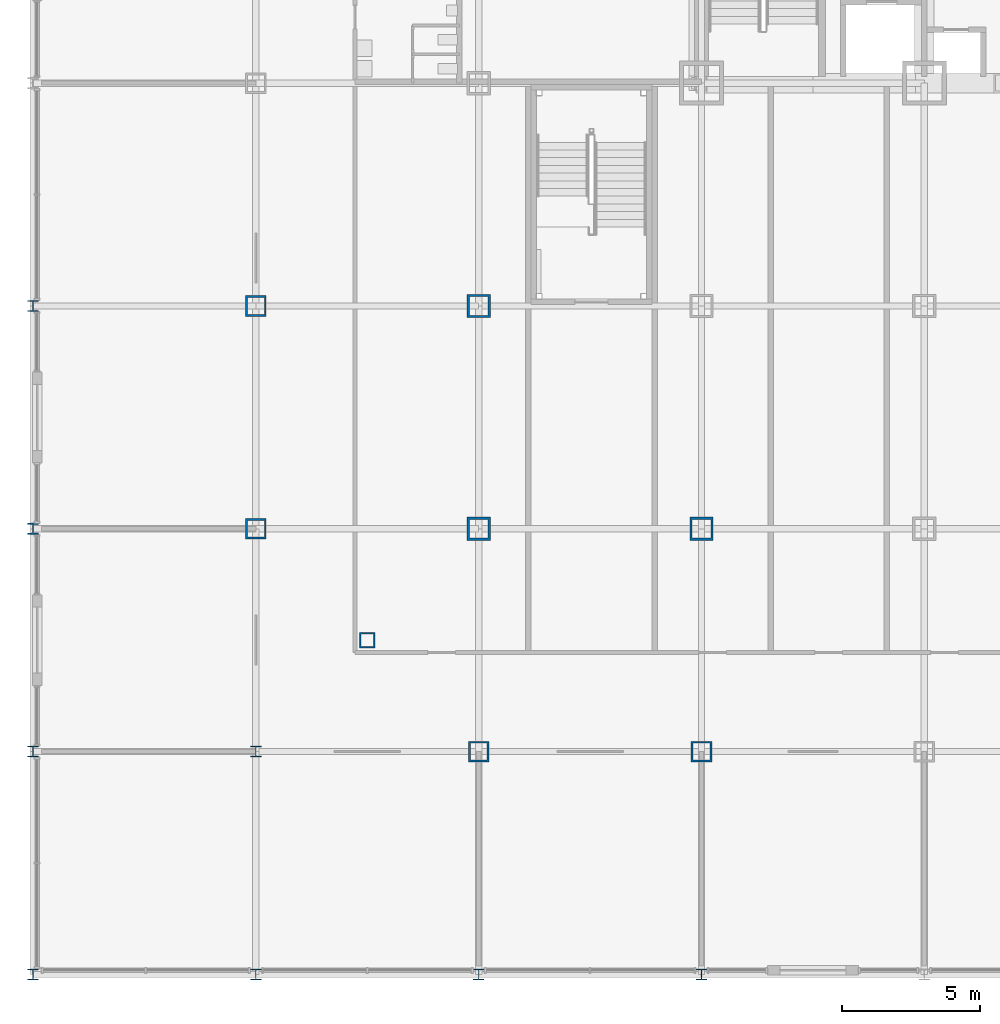
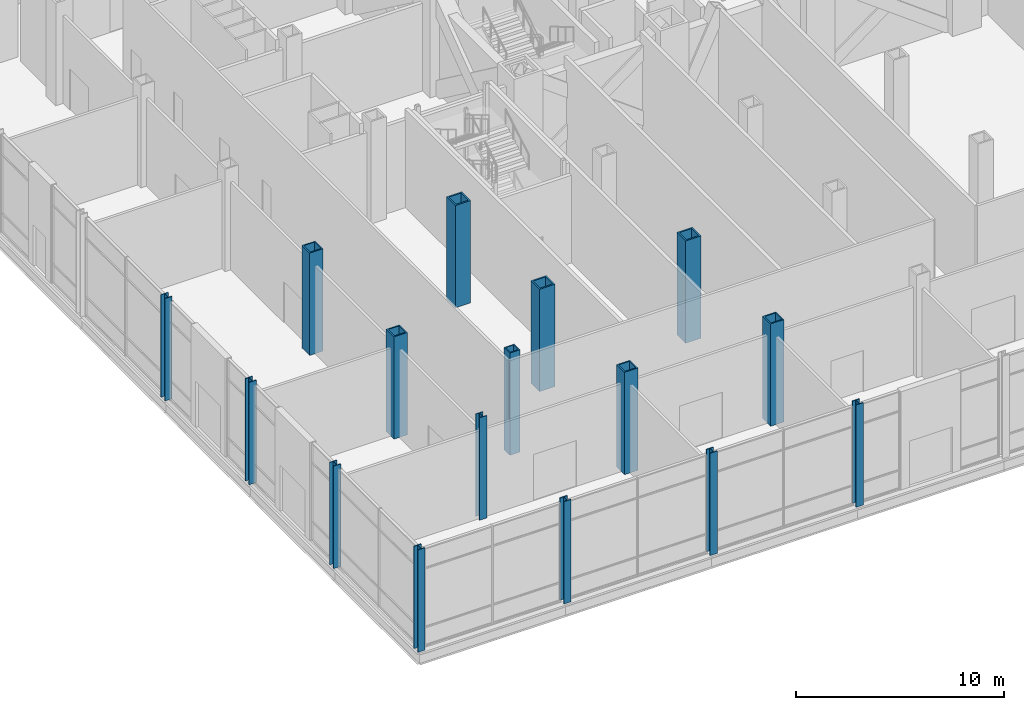
# One storey, part 1 of 35: 16 columns.
"""IFC4 building model written with IfcOpenShell, lengths in metres."""

from ifc_helpers import new_model, si_unit, direction, frame, origin, origin_2d, place, context, subcontext, project, spatial, hollow_rectangle, i_section, extrude, material, material_profile, profile_set, type_object, element, save


model = new_model("IFC4")

# Units and contexts
model_context = context("Model", 3, precision=1e-05, world=origin(), true_north=direction((0.0, 1.0)))
body_context = subcontext(model_context, "Body", "Model", "MODEL_VIEW")
ifc_project = project(units=[si_unit("LENGTHUNIT", "METRE"), si_unit("AREAUNIT", "SQUARE_METRE"), si_unit("VOLUMEUNIT", "CUBIC_METRE"), si_unit("PLANEANGLEUNIT", "RADIAN"), si_unit("MASSUNIT", "GRAM", prefix="KILO")], contexts=[model_context])

# Site, building, storey
site_placement = place(None, origin())
site = spatial("IfcSite", under=ifc_project, at=site_placement, CompositionType="ELEMENT")
building_placement = place(site_placement, origin())
building = spatial("IfcBuilding", under=site, at=building_placement, Name="Kopane Lantern Tower", CompositionType="ELEMENT")
storey_placement = place(building_placement, origin())
storey = spatial("IfcBuildingStorey", under=building, at=storey_placement, Name="L00", CompositionType="ELEMENT", Elevation=0.0)

# Columns
ifc_material_1 = material(Name="Steel S355JR", Category="steel")
ifc_material_profile_1 = material_profile(ifc_material_1, hollow_rectangle(XDim=0.550048828125, YDim=0.550048828125, WallThickness=0.050048828125, at=origin_2d()), Name="BOX 550x550x50")
ifc_profile_set_1 = profile_set([ifc_material_profile_1], Name="Steel S355JR")
column_type_1 = type_object("IfcColumnType", Name="COLUMN BOX 550x550x50", PredefinedType="COLUMN", material=ifc_profile_set_1)
column_placement = place(storey_placement, frame((4.050048828125, 4.050048828125, 0.0), z_axis=(0.0, 0.0, 1.0), x_axis=(1.0, 0.0, 0.0)))
element("IfcColumn", 1, at=column_placement, inside=storey, type_object=column_type_1, Name="Column 4.05/4.05 L00", PredefinedType="COLUMN", context=body_context, shape_type="SweptSolid", body=[
    extrude(hollow_rectangle(XDim=0.550048828125, YDim=0.550048828125, WallThickness=0.050048828125, at=origin_2d()), origin(), (0.0, 0.0, 1.0), 6.0),
])
ifc_material_2 = material(Name="Steel S355JR", Category="steel")
ifc_material_profile_2 = material_profile(ifc_material_2, hollow_rectangle(XDim=0.75, YDim=0.75, WallThickness=0.070068359375, at=origin_2d()), Name="BOX 750x750x70")
ifc_profile_set_2 = profile_set([ifc_material_profile_2], Name="Steel S355JR")
column_type_2 = type_object("IfcColumnType", Name="COLUMN BOX 750x750x70", PredefinedType="COLUMN", material=ifc_profile_set_2)
for number, where, z_axis, x_axis, name in (
    (2, (0.0, 8.10009765625, 0.0), (0.0, 0.0, 1.0), (1.0, 0.0, 0.0), "Column 2/C L00"),
    (3, (0.0, 16.199951171875, 0.0), (0.0, 0.0, 1.0), (1.0, 0.0, 0.0), "Column 2/D L00"),
    (4, (8.10009765625, 0.0, 0.0), (0.0, 0.0, 1.0), (1.0, 0.0, 0.0), "Column 3/B L00"),
    (5, (16.199951171875, 0.0, 0.0), (0.0, 0.0, 1.0), (1.0, 0.0, 0.0), "Column 4/B L00"),
):
    element("IfcColumn", number, at=place(storey_placement, frame(where, z_axis=z_axis, x_axis=x_axis)), inside=storey, type_object=column_type_2, Name=name, PredefinedType="COLUMN", context=body_context, shape_type="SweptSolid", body=[
        extrude(hollow_rectangle(XDim=0.75, YDim=0.75, WallThickness=0.070068359375, at=origin_2d()), origin(), (0.0, 0.0, 1.0), 6.0),
    ])
ifc_material_3 = material(Name="Steel S355JR", Category="steel")
ifc_material_profile_3 = material_profile(ifc_material_3, hollow_rectangle(XDim=0.85009765625, YDim=0.85009765625, WallThickness=0.0849609375, at=origin_2d()), Name="BOX 850x850x85")
ifc_profile_set_3 = profile_set([ifc_material_profile_3], Name="Steel S355JR")
column_type_3 = type_object("IfcColumnType", Name="COLUMN BOX 850x850x85", PredefinedType="COLUMN", material=ifc_profile_set_3)
for number, where, z_axis, x_axis, name in (
    (6, (8.10009765625, 8.10009765625, 0.0), (0.0, 0.0, 1.0), (1.0, 0.0, 0.0), "Column 3/C L00"),
    (7, (8.10009765625, 16.199951171875, 0.0), (0.0, 0.0, 1.0), (1.0, 0.0, 0.0), "Column 3/D L00"),
    (8, (16.199951171875, 8.10009765625, 0.0), (0.0, 0.0, 1.0), (1.0, 0.0, 0.0), "Column 4/C L00"),
):
    element("IfcColumn", number, at=place(storey_placement, frame(where, z_axis=z_axis, x_axis=x_axis)), inside=storey, type_object=column_type_3, Name=name, PredefinedType="COLUMN", context=body_context, shape_type="SweptSolid", body=[
        extrude(hollow_rectangle(XDim=0.85009765625, YDim=0.85009765625, WallThickness=0.0849609375, at=origin_2d()), origin(), (0.0, 0.0, 1.0), 6.0),
    ])
ifc_material_4 = material(Name="Steel S355JR", Category="steel")
ifc_material_profile_4 = material_profile(ifc_material_4, i_section(OverallWidth=0.403076171875, OverallDepth=0.406494140625, WebThickness=0.026611328125, FlangeThickness=0.04296875, FilletRadius=0.01513671875, at=origin_2d()), Name="UC 356x406x340")
ifc_profile_set_4 = profile_set([ifc_material_profile_4], Name="Steel S355JR")
column_type_4 = type_object("IfcColumnType", Name="COLUMN UC 356x406x340", PredefinedType="COLUMN", material=ifc_profile_set_4)
for number, where, z_axis, x_axis, name in (
    (9, (-8.10009765625, -8.10009765625, 0.0), (0.0, 0.0, 1.0), (1.0, 0.0, 0.0), "Column 1/A L00"),
    (10, (-8.10009765625, 0.0, 0.0), (0.0, 0.0, 1.0), (1.0, 0.0, 0.0), "Column 1/B L00"),
    (11, (-8.10009765625, 8.10009765625, 0.0), (0.0, 0.0, 1.0), (1.0, 0.0, 0.0), "Column 1/C L00"),
    (12, (-8.10009765625, 16.199951171875, 0.0), (0.0, 0.0, 1.0), (1.0, 0.0, 0.0), "Column 1/D L00"),
    (13, (0.0, -8.10009765625, 0.0), (0.0, 0.0, 1.0), (1.0, 0.0, 0.0), "Column 2/A L00"),
    (14, (0.0, 0.0, 0.0), (0.0, 0.0, 1.0), (1.0, 0.0, 0.0), "Column 2/B L00"),
    (15, (8.10009765625, -8.10009765625, 0.0), (0.0, 0.0, 1.0), (1.0, 0.0, 0.0), "Column 3/A L00"),
    (16, (16.199951171875, -8.10009765625, 0.0), (0.0, 0.0, 1.0), (1.0, 0.0, 0.0), "Column 4/A L00"),
):
    element("IfcColumn", number, at=place(storey_placement, frame(where, z_axis=z_axis, x_axis=x_axis)), inside=storey, type_object=column_type_4, Name=name, PredefinedType="COLUMN", context=body_context, shape_type="SweptSolid", body=[
        extrude(i_section(OverallWidth=0.403076171875, OverallDepth=0.406494140625, WebThickness=0.026611328125, FlangeThickness=0.04296875, FilletRadius=0.01513671875, at=origin_2d()), origin(), (0.0, 0.0, 1.0), 6.0),
    ])

save(model, "model.ifc")
